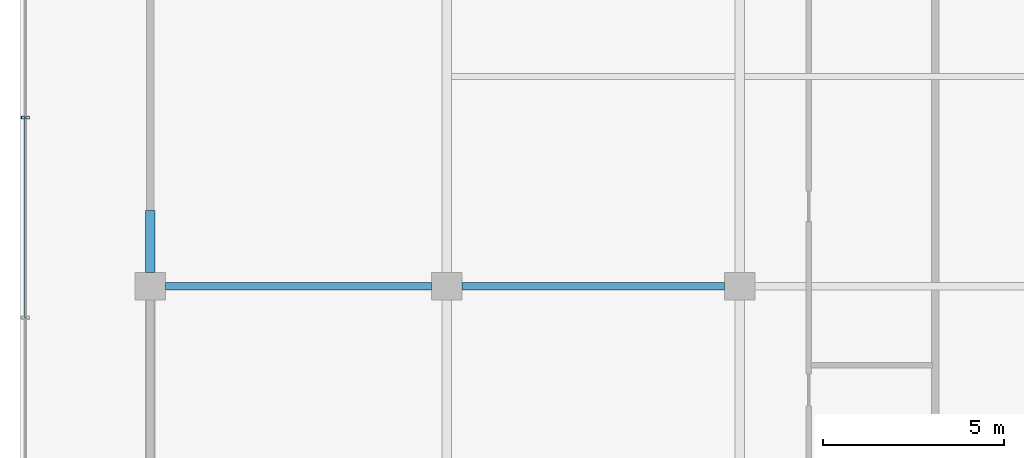
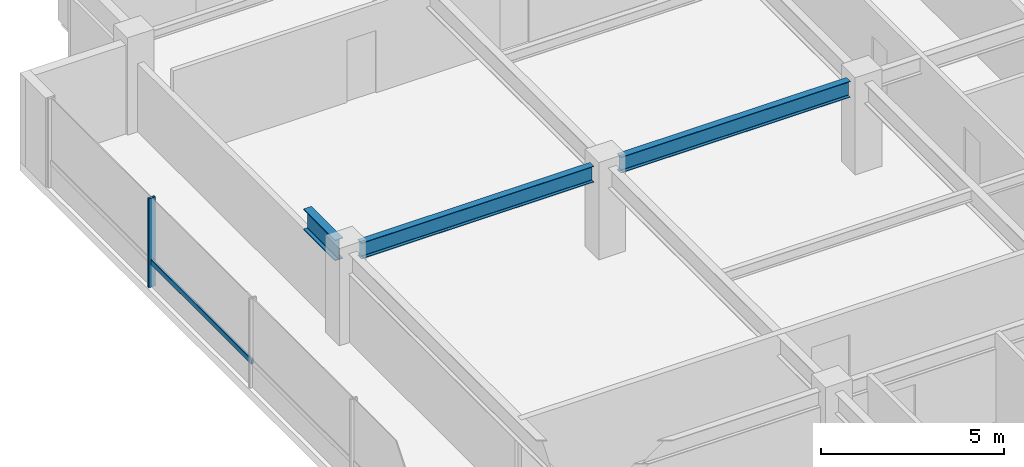
# One storey, part 8 of 32: 3 beams, 2 members, 1 element without a shape of its own.
"""IFC4 building model written with IfcOpenShell, lengths in metres."""

import ifcopenshell
import ifcopenshell.guid

model = None  # the IFC model being written
_history = None  # IfcOwnerHistory: only IFC2X3 demands one
_inside = {}  # id of a spatial element -> (the spatial element, [elements in it])
_under = {}  # id of a project, library or spatial element -> (it, [spatial elements below it])
_declared = {}  # id of a project -> (the project, [libraries it declares])
_typed = {}  # id of a type object -> (the type object, [elements of that type])
_made_of = {}  # id of a material, layer set ... -> (it, [elements and type objects made of it])


def new_model(schema):
    """Start an empty IFC model of exactly this schema.

    Asked for "IFC4X3", IfcOpenShell would pick the latest addendum, in which some entities
    have other attributes; the version numbers below select the first issue.
    IFC2X3 requires an IfcOwnerHistory on every rooted entity: one is made here for all.
    """
    global model, _history
    if schema == "IFC4X3":
        model = ifcopenshell.file(schema_version=(4, 3, 0, 0))
    else:
        model = ifcopenshell.file(schema=schema)
    _inside.clear()
    _under.clear()
    _declared.clear()
    _typed.clear()
    _made_of.clear()
    _history = None
    if model.schema == "IFC2X3":
        org = make("IfcOrganization", Name="unknown")
        user = make(
            "IfcPersonAndOrganization",
            ThePerson=make("IfcPerson", FamilyName="unknown"),
            TheOrganization=org,
        )
        app = make(
            "IfcApplication",
            ApplicationDeveloper=org,
            Version="unknown",
            ApplicationFullName="unknown",
            ApplicationIdentifier="unknown",
        )
        _history = make(
            "IfcOwnerHistory",
            OwningUser=user,
            OwningApplication=app,
            ChangeAction="ADDED",
            CreationDate=0,
        )
    return model


def make(cls, **values):
    """One entity of the class cls with the attributes given. An attribute that is None is left unset."""
    return model.create_entity(
        cls, **{name: value for name, value in values.items() if value is not None}
    )


def rooted(cls, **values):
    """An entity with a GlobalId (a new one), such as an element, a storey or a relation."""
    return make(cls, GlobalId=ifcopenshell.guid.new(), OwnerHistory=_history, **values)


def si_unit(unit_type, name, prefix=None):
    """IfcSIUnit, for example si_unit("LENGTHUNIT", "METRE", prefix="MILLI")."""
    return make("IfcSIUnit", UnitType=unit_type, Prefix=prefix, Name=name)


def assignment(units):
    """IfcUnitAssignment: the units of a project."""
    return None if units is None else make("IfcUnitAssignment", Units=units)


def point(xyz):
    """IfcCartesianPoint."""
    return None if xyz is None else make("IfcCartesianPoint", Coordinates=xyz)


def direction(xyz):
    """IfcDirection."""
    return None if xyz is None else make("IfcDirection", DirectionRatios=xyz)


def frame(location, z_axis=None, x_axis=None):
    """IfcAxis2Placement3D, a coordinate frame: its origin and axes. An axis left out is left unset."""
    return make(
        "IfcAxis2Placement3D",
        Location=point(location),
        Axis=direction(z_axis),
        RefDirection=direction(x_axis),
    )


def frame_2d(location, x_axis=None):
    """IfcAxis2Placement2D, a coordinate frame in the plane: its origin and x axis."""
    return make(
        "IfcAxis2Placement2D", Location=point(location), RefDirection=direction(x_axis)
    )


def origin():
    """The frame at (0, 0, 0) with its axes left unset."""
    return frame((0.0, 0.0, 0.0))


def origin_2d():
    """The frame at (0, 0) in the plane with its x axis left unset."""
    return frame_2d((0.0, 0.0))


def place(relative_to, where):
    """IfcLocalPlacement: puts the frame where relative to a parent placement (None: the world)."""
    return make(
        "IfcLocalPlacement", PlacementRelTo=relative_to, RelativePlacement=where
    )


def context(
    kind, dimensions, precision=None, world=None, true_north=None, identifier=None
):
    """IfcGeometricRepresentationContext, for example the 3D "Model" context."""
    return make(
        "IfcGeometricRepresentationContext",
        ContextIdentifier=identifier,
        ContextType=kind,
        CoordinateSpaceDimension=dimensions,
        Precision=precision,
        WorldCoordinateSystem=world,
        TrueNorth=true_north,
    )


def subcontext(parent, identifier, kind, view, scale=None):
    """IfcGeometricRepresentationSubContext, for example "Body" below "Model"."""
    return make(
        "IfcGeometricRepresentationSubContext",
        ContextIdentifier=identifier,
        ContextType=kind,
        ParentContext=parent,
        TargetScale=scale,
        TargetView=view,
    )


def project(units=None, contexts=None):
    """IfcProject with its units and contexts."""
    return rooted(
        "IfcProject",
        Name="project",
        RepresentationContexts=contexts,
        UnitsInContext=assignment(units),
    )


def spatial(cls, under=None, at=None, **own):
    """A site, building, storey or space (cls), placed at a placement, below another one or the project."""
    s = rooted(cls, ObjectPlacement=at, **own)
    if under is not None:
        _under.setdefault(under.id(), (under, []))[1].append(s)
    return s


def profile(cls, at=None, kind="AREA", **sizes):
    """A parametric profile (cls). Its sizes go by their IFC names, for example OverallWidth=200.0."""
    return make(cls, ProfileType=kind, Position=at, **sizes)


def hollow_rectangle(**sizes):
    """IfcRectangleHollowProfileDef."""
    return profile("IfcRectangleHollowProfileDef", **sizes)


def i_section(**sizes):
    """IfcIShapeProfileDef."""
    return profile("IfcIShapeProfileDef", **sizes)


def extrude(swept, where, along, depth):
    """IfcExtrudedAreaSolid: the profile swept, set in the frame where, extruded along a direction by depth."""
    return make(
        "IfcExtrudedAreaSolid",
        SweptArea=swept,
        Position=where,
        ExtrudedDirection=direction(along),
        Depth=depth,
    )


def shape(context_of_items, identifier, shape_type, items):
    """IfcShapeRepresentation: the items that make up one representation, for example the "Body"."""
    return make(
        "IfcShapeRepresentation",
        ContextOfItems=context_of_items,
        RepresentationIdentifier=identifier,
        RepresentationType=shape_type,
        Items=items,
    )


def material(Name=None, Category=None):
    """IfcMaterial."""
    return make("IfcMaterial", Name=Name, Category=Category)


def layer(
    of_material, thickness, ventilated=None, Name=None, Category=None, Priority=None
):
    """IfcMaterialLayer: one layer of a wall or slab, of a material (None: an air gap)."""
    return make(
        "IfcMaterialLayer",
        Material=of_material,
        LayerThickness=thickness,
        IsVentilated=ventilated,
        Name=Name,
        Category=Category,
        Priority=Priority,
    )


def layer_set(layers, Name=None):
    """IfcMaterialLayerSet."""
    return make("IfcMaterialLayerSet", MaterialLayers=layers, LayerSetName=Name)


def material_profile(
    of_material, cross_section, Name=None, Category=None, Priority=None
):
    """IfcMaterialProfile: a cross section and its material."""
    return make(
        "IfcMaterialProfile",
        Name=Name,
        Material=of_material,
        Profile=cross_section,
        Priority=Priority,
        Category=Category,
    )


def profile_set(profiles, Name=None, composite=None):
    """IfcMaterialProfileSet."""
    return make(
        "IfcMaterialProfileSet",
        Name=Name,
        MaterialProfiles=profiles,
        CompositeProfile=composite,
    )


def made_of(thing, what):
    """Note that an element or type object is made of a material, layer set ...; save() writes the relation."""
    if what is not None:
        _made_of.setdefault(what.id(), (what, []))[1].append(thing)
    return thing


def type_object(cls, material=None, **own):
    """A type object (cls), such as IfcWallType, which elements share."""
    return made_of(rooted(cls, **own), material)


def element(
    cls,
    number,
    at=None,
    inside=None,
    cuts=None,
    type_object=None,
    material=None,
    context=None,
    identifier="Body",
    shape_type=None,
    held_by="IfcProductDefinitionShape",
    body=None,
    shapes=None,
    **own,
):
    """One element of the class cls, such as IfcWall. Its Tag is "e" and its number.

    at: its placement. inside: the storey or other place that contains it. cuts: it is an
    opening in that element (IfcRelVoidsElement). A single representation is given by context,
    identifier, shape_type and body (its items); several are given by shapes. held_by: the class
    of the entity that holds the representations. save() writes the other relations.
    """
    e = rooted(cls, Tag="e%d" % number, ObjectPlacement=at, **own)
    if body is not None:
        shapes = [shape(context, identifier, shape_type, body)]
    if shapes is not None:
        e.Representation = make(held_by, Representations=shapes)
    if inside is not None:
        _inside.setdefault(inside.id(), (inside, []))[1].append(e)
    if cuts is not None:
        rooted(
            "IfcRelVoidsElement", RelatingBuildingElement=cuts, RelatedOpeningElement=e
        )
    if type_object is not None:
        _typed.setdefault(type_object.id(), (type_object, []))[1].append(e)
    return made_of(e, material)


def aggregate(whole, parts):
    """IfcRelAggregates: a whole, such as a stair, and the parts it consists of."""
    return rooted("IfcRelAggregates", RelatingObject=whole, RelatedObjects=parts)


def save(model, path):
    """Write the relations noted so far, then the file.

    IfcRelAggregates (storeys below a building ...), IfcRelContainedInSpatialStructure (elements
    in a storey), IfcRelDefinesByType, IfcRelAssociatesMaterial and IfcRelDeclares: one each for
    every whole, place, type object, material and project.
    """
    for whole, parts in _under.values():
        aggregate(whole, parts)
    for where, things in _inside.values():
        rooted(
            "IfcRelContainedInSpatialStructure",
            RelatedElements=things,
            RelatingStructure=where,
        )
    for kind, things in _typed.values():
        rooted("IfcRelDefinesByType", RelatedObjects=things, RelatingType=kind)
    for what, things in _made_of.values():
        rooted("IfcRelAssociatesMaterial", RelatedObjects=things, RelatingMaterial=what)
    for by, libraries in _declared.values():
        rooted("IfcRelDeclares", RelatingContext=by, RelatedDefinitions=libraries)
    model.write(path)


model = new_model("IFC4")

# Units and contexts
model_context = context("Model", 3, precision=1e-05, world=origin(), true_north=direction((0.0, 1.0)))
body_context = subcontext(model_context, "Body", "Model", "MODEL_VIEW")
ifc_project = project(units=[si_unit("LENGTHUNIT", "METRE"), si_unit("AREAUNIT", "SQUARE_METRE"), si_unit("VOLUMEUNIT", "CUBIC_METRE"), si_unit("PLANEANGLEUNIT", "RADIAN"), si_unit("MASSUNIT", "GRAM", prefix="KILO")], contexts=[model_context])

# Site, building, storey
site_placement = place(None, origin())
site = spatial("IfcSite", under=ifc_project, at=site_placement, CompositionType="ELEMENT")
building_placement = place(site_placement, origin())
building = spatial("IfcBuilding", under=site, at=building_placement, Name="Korimba Cascade Residences", CompositionType="ELEMENT")
storey_placement = place(building_placement, frame((0.0, 0.0, 178.35009765625)))
storey = spatial("IfcBuildingStorey", under=building, at=storey_placement, Name="L51", CompositionType="ELEMENT", Elevation=178.35009765625)

# Beams
ifc_material_1 = material(Name="Steel S355", Category="steel")
ifc_material_profile_1 = material_profile(ifc_material_1, i_section(OverallWidth=0.2099609375, OverallDepth=0.53662109375, WebThickness=0.0107421875, FlangeThickness=0.017333984375, FilletRadius=0.0126953125, at=origin_2d()), Name="Steel S355")
ifc_profile_set_1 = profile_set([ifc_material_profile_1], Name="Steel S355")
beam_type_1 = type_object("IfcBeamType", Name="BM-STL-UB533", PredefinedType="BEAM", material=ifc_profile_set_1)
beam_1_placement = place(storey_placement, frame((60.22509765625, 79.60009765625, 2.701416015625), z_axis=(1.0, 0.0, 0.0), x_axis=(0.0, 1.0, 0.0)))
element("IfcBeam", 1, at=beam_1_placement, inside=storey, type_object=beam_type_1, Name="L51 T1 E-W Girder Y3 Bay 1", PredefinedType="BEAM", context=body_context, shape_type="SweptSolid", body=[
    extrude(i_section(OverallWidth=0.2099609375, OverallDepth=0.53662109375, WebThickness=0.0107421875, FlangeThickness=0.017333984375, FilletRadius=0.0126953125, at=origin_2d()), origin(), (0.0, 0.0, 1.0), 7.349853515625),
])
beam_2_placement = place(storey_placement, frame((68.425048828125, 79.60009765625, 2.701416015625), z_axis=(1.0, 0.0, 0.0), x_axis=(0.0, 1.0, 0.0)))
element("IfcBeam", 2, at=beam_2_placement, inside=storey, type_object=beam_type_1, Name="L51 T1 E-W Girder Y3 Bay 2", PredefinedType="BEAM", context=body_context, shape_type="SweptSolid", body=[
    extrude(i_section(OverallWidth=0.2099609375, OverallDepth=0.53662109375, WebThickness=0.0107421875, FlangeThickness=0.017333984375, FilletRadius=0.0126953125, at=origin_2d()), origin(), (0.0, 0.0, 1.0), 7.25),
])
ifc_material_profile_2 = material_profile(ifc_material_1, i_section(OverallWidth=0.255859375, OverallDepth=0.69287109375, WebThickness=0.014404296875, FlangeThickness=0.023681640625, FilletRadius=0.01513671875, at=origin_2d()), Name="Steel S355")
ifc_profile_set_2 = profile_set([ifc_material_profile_2], Name="Steel S355")
beam_type_2 = type_object("IfcBeamType", Name="BM-STL-UB686", PredefinedType="BEAM", material=ifc_profile_set_2)
beam_3_placement = place(storey_placement, frame((59.800048828125, 79.97509765625, 2.623291015625), z_axis=(0.0, 1.0, 0.0), x_axis=(-1.0, 0.0, 0.0)))
element("IfcBeam", 3, at=beam_3_placement, inside=storey, type_object=beam_type_2, Name="L51 T1 N-S Girder X1 Seg 3", PredefinedType="BEAM", context=body_context, shape_type="SweptSolid", body=[
    extrude(i_section(OverallWidth=0.255859375, OverallDepth=0.69287109375, WebThickness=0.014404296875, FlangeThickness=0.023681640625, FilletRadius=0.01513671875, at=origin_2d()), origin(), (0.0, 0.0, 1.0), 1.724853515625),
])

# Curtain wall, members
ifc_material_2 = material(Name="Anodised Aluminium Curtain Wall Framing", Category="aluminium")
ifc_layer = layer(ifc_material_2, 0.179931640625)
ifc_layer_set = layer_set([ifc_layer], Name="Anodised Aluminium Curtain Wall Framing")
curtain_wall_type = type_object("IfcCurtainWallType", Name="CW-SKY-SYS2", PredefinedType="NOTDEFINED", material=ifc_layer_set)
curtain_wall_placement = place(storey_placement, origin())
curtain_wall = element("IfcCurtainWall", 4, at=curtain_wall_placement, inside=storey, type_object=curtain_wall_type, Name="L51 Curtain Wall CW-L51-T1-E9", PredefinedType="NOTDEFINED")
ifc_material_3 = material(Name="Anodised Aluminium Mullion", Category="aluminium")
ifc_material_profile_3 = material_profile(ifc_material_3, hollow_rectangle(XDim=0.080078125, YDim=0.219970703125, WallThickness=0.00634765625, InnerFilletRadius=0.00634765625, OuterFilletRadius=0.0126953125, at=origin_2d()), Name="Anodised Aluminium Mullion")
ifc_profile_set_3 = profile_set([ifc_material_profile_3], Name="Anodised Aluminium Mullion")
member_type_1 = type_object("IfcMemberType", Name="CWM-MUL-220", PredefinedType="MULLION", material=ifc_profile_set_3)
member_1_placement = place(storey_placement, frame((56.35009765625, 84.2666015625, 0.0), z_axis=(0.0, 0.0, 1.0), x_axis=(0.0, -1.0, 0.0)))
member_1 = element("IfcMember", 5, at=member_1_placement, type_object=member_type_1, Name="CW-L51-T1-E9 Mullion 2", PredefinedType="MULLION", context=body_context, shape_type="SweptSolid", body=[
    extrude(hollow_rectangle(XDim=0.080078125, YDim=0.219970703125, WallThickness=0.00634765625, InnerFilletRadius=0.00634765625, OuterFilletRadius=0.0126953125, at=origin_2d()), origin(), (0.0, 0.0, 1.0), 2.969970703125),
])
ifc_material_4 = material(Name="Anodised Aluminium Transom", Category="aluminium")
ifc_material_profile_4 = material_profile(ifc_material_4, hollow_rectangle(XDim=0.070068359375, YDim=0.179931640625, WallThickness=0.0048828125, InnerFilletRadius=0.0048828125, OuterFilletRadius=0.010009765625, at=origin_2d()), Name="Anodised Aluminium Transom")
ifc_profile_set_4 = profile_set([ifc_material_profile_4], Name="Anodised Aluminium Transom")
member_type_2 = type_object("IfcMemberType", Name="CWM-TRN-150", PredefinedType="USERDEFINED", material=ifc_profile_set_4)
member_2_placement = place(storey_placement, frame((56.35009765625, 84.2666015625, 0.83154296875), z_axis=(0.0, -1.0, 0.0), x_axis=(1.0, 0.0, 0.0)))
member_2 = element("IfcMember", 6, at=member_2_placement, type_object=member_type_2, Name="CW-L51-T1-E9 Transom 2", ObjectType="TRANSOM", PredefinedType="USERDEFINED", context=body_context, shape_type="SweptSolid", body=[
    extrude(hollow_rectangle(XDim=0.070068359375, YDim=0.179931640625, WallThickness=0.0048828125, InnerFilletRadius=0.0048828125, OuterFilletRadius=0.010009765625, at=origin_2d()), origin(), (0.0, 0.0, 1.0), 5.533203125),
])
aggregate(curtain_wall, [member_1, member_2])

save(model, "model.ifc")
